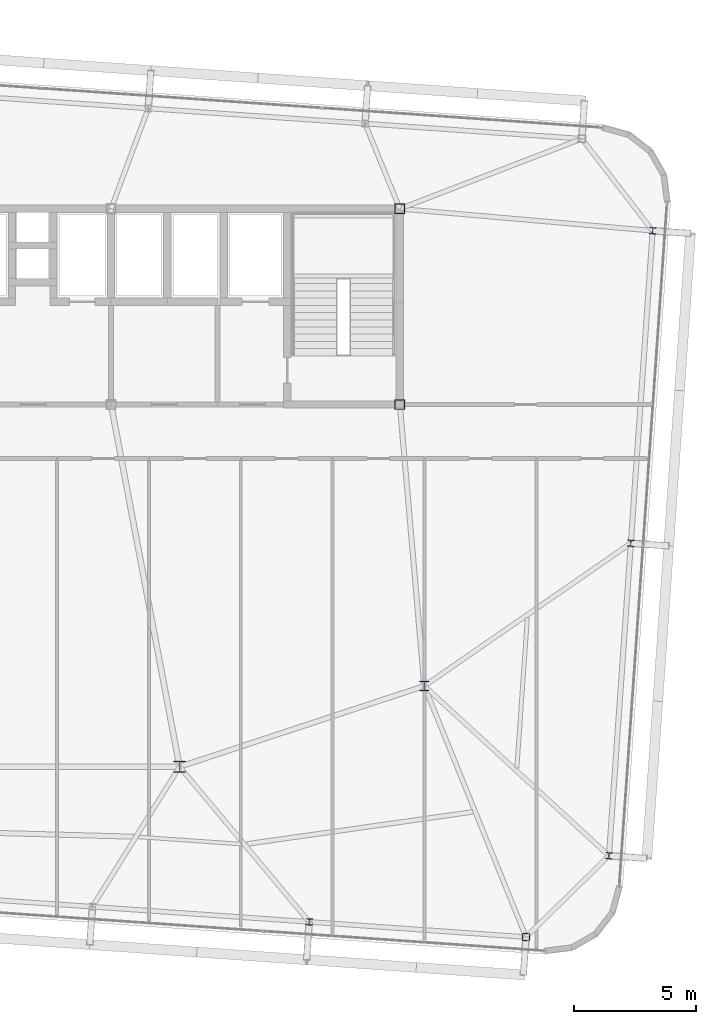
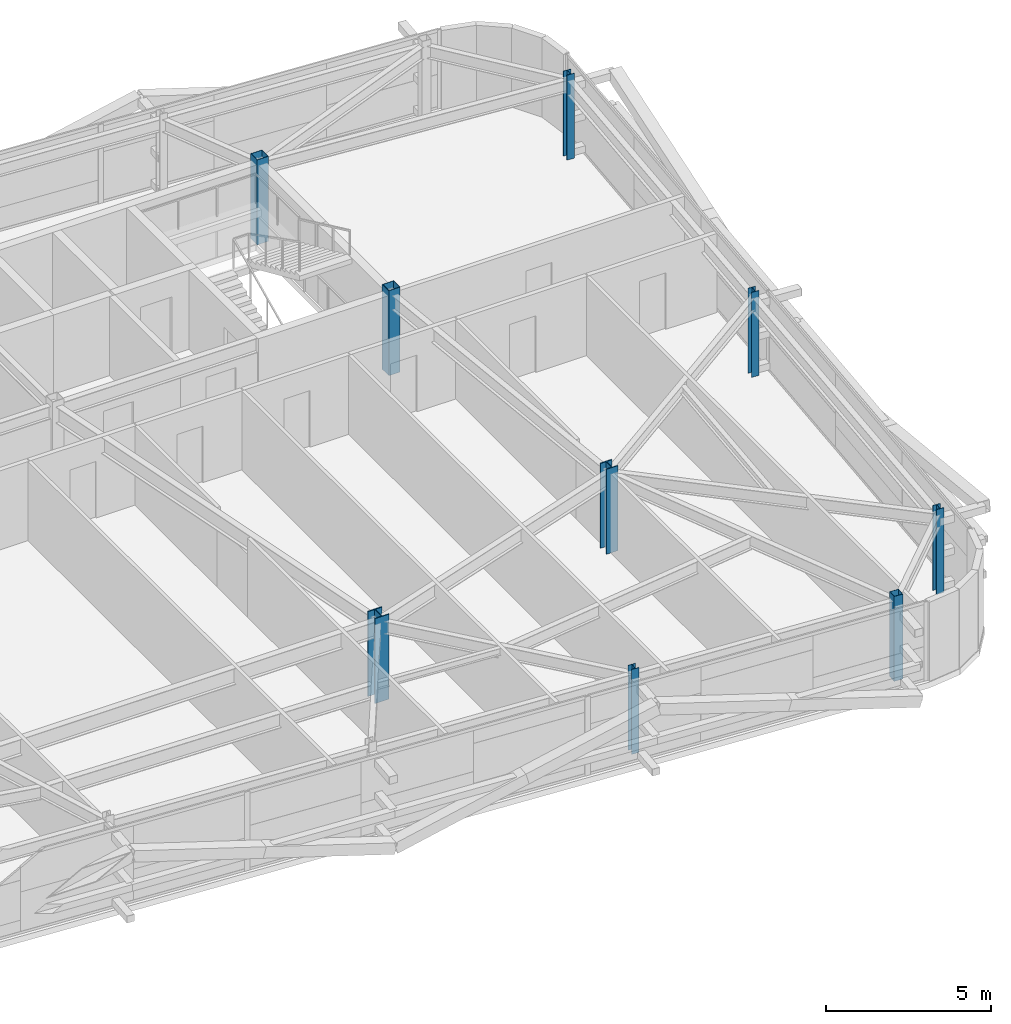
# One storey, part 3 of 39: 9 columns.
"""IFC4 building model written with IfcOpenShell, lengths in metres."""

from ifc_helpers import new_model, si_unit, direction, frame, origin, origin_2d, place, context, subcontext, project, spatial, hollow_rectangle, i_section, extrude, source, transform, mapped, material, material_profile, profile_set, type_object, element, save


model = new_model("IFC4")

# Units and contexts
model_context = context("Model", 3, precision=1e-05, world=origin(), true_north=direction((0.0, 1.0)))
body_context = subcontext(model_context, "Body", "Model", "MODEL_VIEW")
ifc_project = project(units=[si_unit("LENGTHUNIT", "METRE"), si_unit("AREAUNIT", "SQUARE_METRE"), si_unit("VOLUMEUNIT", "CUBIC_METRE"), si_unit("PLANEANGLEUNIT", "RADIAN"), si_unit("MASSUNIT", "GRAM", prefix="KILO")], contexts=[model_context])

# Site, building, storey
site_placement = place(None, origin())
site = spatial("IfcSite", under=ifc_project, at=site_placement, CompositionType="ELEMENT")
building_placement = place(site_placement, origin())
building = spatial("IfcBuilding", under=site, at=building_placement, Name="Taldren Reach Tower", CompositionType="ELEMENT")
storey_placement = place(building_placement, frame((0.0, 0.0, 136.14990234375)))
storey = spatial("IfcBuildingStorey", under=building, at=storey_placement, Name="L41", CompositionType="ELEMENT", Elevation=136.14990234375)

# Columns
ifc_material_1 = material(Name="Steel Gr 350 (350PLUS)", Category="steel")
ifc_material_profile_1 = material_profile(ifc_material_1, i_section(OverallWidth=0.39990234375, OverallDepth=0.39599609375, WebThickness=0.02197265625, FlangeThickness=0.033935546875, at=origin_2d()), Name="400WC270")
ifc_profile_set_1 = profile_set([ifc_material_profile_1], Name="Steel Gr 350 (350PLUS)")
column_type_1 = type_object("IfcColumnType", Name="COL-WC400", PredefinedType="COLUMN", material=ifc_profile_set_1)
shared_shape_1 = source(origin(), body_context, "Body", "SweptSolid", [
    extrude(i_section(OverallWidth=0.39990234375, OverallDepth=0.39599609375, WebThickness=0.02197265625, FlangeThickness=0.033935546875, at=origin_2d()), origin(), (0.0, 0.0, 1.0), 3.150146484375),
])
column_1_placement = place(storey_placement, frame((52.0, 12.5, 0.0), z_axis=(0.0, 0.0, 1.0), x_axis=(1.0, 0.0, 0.0)))
element("IfcColumn", 1, at=column_1_placement, inside=storey, type_object=column_type_1, Name="Mega column MC-SE L41", PredefinedType="COLUMN", context=body_context, shape_type="MappedRepresentation", body=[
    mapped(shared_shape_1, transform((0.0, 0.0, 0.0), scale=1.0)),
])
ifc_material_profile_2 = material_profile(ifc_material_1, i_section(OverallWidth=0.5, OverallDepth=0.464111328125, WebThickness=0.02197265625, FlangeThickness=0.033935546875, at=origin_2d()), Name="500WC340")
ifc_profile_set_2 = profile_set([ifc_material_profile_2], Name="Steel Gr 350 (350PLUS)")
column_type_2 = type_object("IfcColumnType", Name="COL-WC500B", PredefinedType="COLUMN", material=ifc_profile_set_2)
shared_shape_2 = source(origin(), body_context, "Body", "SweptSolid", [
    extrude(i_section(OverallWidth=0.5, OverallDepth=0.464111328125, WebThickness=0.02197265625, FlangeThickness=0.033935546875, at=origin_2d()), origin(), (0.0, 0.0, 1.0), 3.150146484375),
])
column_2_placement = place(storey_placement, frame((42.0, 9.199951171875, 0.0), z_axis=(0.0, 0.0, 1.0), x_axis=(1.0, 0.0, 0.0)))
element("IfcColumn", 2, at=column_2_placement, inside=storey, type_object=column_type_2, Name="Mega column MC-PJE L41", PredefinedType="COLUMN", context=body_context, shape_type="MappedRepresentation", body=[
    mapped(shared_shape_2, transform((0.0, 0.0, 0.0), scale=1.0)),
])
ifc_material_2 = material(Name="Steel Gr 450 (C450L0)", Category="steel")
ifc_material_profile_3 = material_profile(ifc_material_2, hollow_rectangle(XDim=0.39990234375, YDim=0.39990234375, WallThickness=0.01611328125, at=origin_2d()), Name="400x400x16.0SHS")
ifc_profile_set_3 = profile_set([ifc_material_profile_3], Name="Steel Gr 450 (C450L0)")
column_type_3 = type_object("IfcColumnType", Name="COL-SHS400", PredefinedType="COLUMN", material=ifc_profile_set_3)
shared_shape_3 = source(origin(), body_context, "Body", "SweptSolid", [
    extrude(hollow_rectangle(XDim=0.39990234375, YDim=0.39990234375, WallThickness=0.01611328125, at=origin_2d()), origin(), (0.0, 0.0, 1.0), 3.150146484375),
])
for number, where, z_axis, x_axis, name in (
    (3, (51.0, 24.0, 0.0), (0.0, 0.0, 1.0), (1.0, 0.0, 0.0), "Mega column MC-C4 L41"),
    (4, (51.0, 32.0, 0.0), (0.0, 0.0, 1.0), (1.0, 0.0, 0.0), "Mega column MC-C8 L41"),
):
    element("IfcColumn", number, at=place(storey_placement, frame(where, z_axis=z_axis, x_axis=x_axis)), inside=storey, type_object=column_type_3, Name=name, PredefinedType="COLUMN", context=body_context, shape_type="MappedRepresentation", body=[
        mapped(shared_shape_3, transform((0.0, 0.0, 0.0), scale=1.0)),
    ])
ifc_material_profile_4 = material_profile(ifc_material_2, hollow_rectangle(XDim=0.300048828125, YDim=0.300048828125, WallThickness=0.012451171875, at=origin_2d()), Name="300x300x12.5SHS")
ifc_profile_set_4 = profile_set([ifc_material_profile_4], Name="Steel Gr 450 (C450L0)")
column_type_4 = type_object("IfcColumnType", Name="COL-SHS300", PredefinedType="COLUMN", material=ifc_profile_set_4)
shared_shape_4 = source(origin(), body_context, "Body", "SweptSolid", [
    extrude(hollow_rectangle(XDim=0.300048828125, YDim=0.300048828125, WallThickness=0.012451171875, at=origin_2d()), origin(), (0.0, 0.0, 1.0), 3.150146484375),
])
column_3_placement = place(storey_placement, frame((56.155517578125, 2.2412109375, 0.0), z_axis=(0.0, 0.0, 1.0), x_axis=(0.99756405026, -0.069756473744, 0.0)))
element("IfcColumn", 5, at=column_3_placement, inside=storey, type_object=column_type_4, Name="Block B3 perimeter column S6 L41", PredefinedType="COLUMN", context=body_context, shape_type="MappedRepresentation", body=[
    mapped(shared_shape_4, transform((0.0, 0.0, 0.0), scale=1.0)),
])
ifc_material_profile_5 = material_profile(ifc_material_1, i_section(OverallWidth=0.256103515625, OverallDepth=0.260009765625, WebThickness=0.010498046875, FlangeThickness=0.017333984375, at=origin_2d()), Name="250UC89.5")
ifc_profile_set_5 = profile_set([ifc_material_profile_5], Name="Steel Gr 350 (350PLUS)")
column_type_5 = type_object("IfcColumnType", Name="COL-UC250", PredefinedType="COLUMN", material=ifc_profile_set_5)
shared_shape_5 = source(origin(), body_context, "Body", "SweptSolid", [
    extrude(i_section(OverallWidth=0.256103515625, OverallDepth=0.260009765625, WebThickness=0.010498046875, FlangeThickness=0.017333984375, at=origin_2d()), origin(), (0.0, 0.0, 1.0), 3.150146484375),
])
for number, where, z_axis, x_axis, name in (
    (6, (47.297119140625, 2.860595703125, 0.0), (0.0, 0.0, 1.0), (0.99756405026, -0.069756473744, 0.0), "Block B3 perimeter column S5 L41"),
    (7, (59.54541015625, 5.562744140625, 0.0), (0.0, 0.0, 1.0), (0.99756405026, -0.069756473744, 0.0), "Block B3 perimeter column E1 L41"),
    (8, (60.438232421875, 18.331787109375, 0.0), (0.0, 0.0, 1.0), (0.99756405026, -0.069756473744, 0.0), "Block B3 perimeter column E2 L41"),
    (9, (61.3310546875, 31.1005859375, 0.0), (0.0, 0.0, 1.0), (0.99756405026, -0.069756473744, 0.0), "Block B3 perimeter column E3 L41"),
):
    element("IfcColumn", number, at=place(storey_placement, frame(where, z_axis=z_axis, x_axis=x_axis)), inside=storey, type_object=column_type_5, Name=name, PredefinedType="COLUMN", context=body_context, shape_type="MappedRepresentation", body=[
        mapped(shared_shape_5, transform((0.0, 0.0, 0.0), scale=1.0)),
    ])

save(model, "model.ifc")
